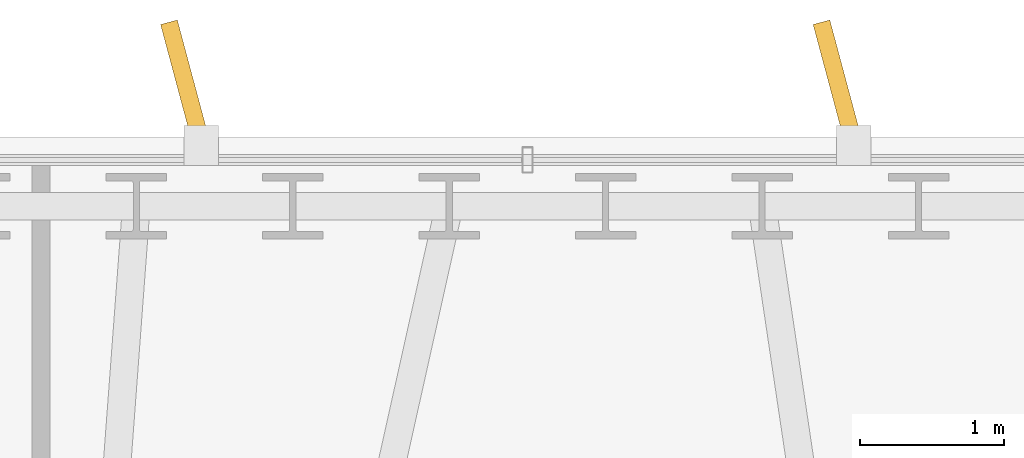
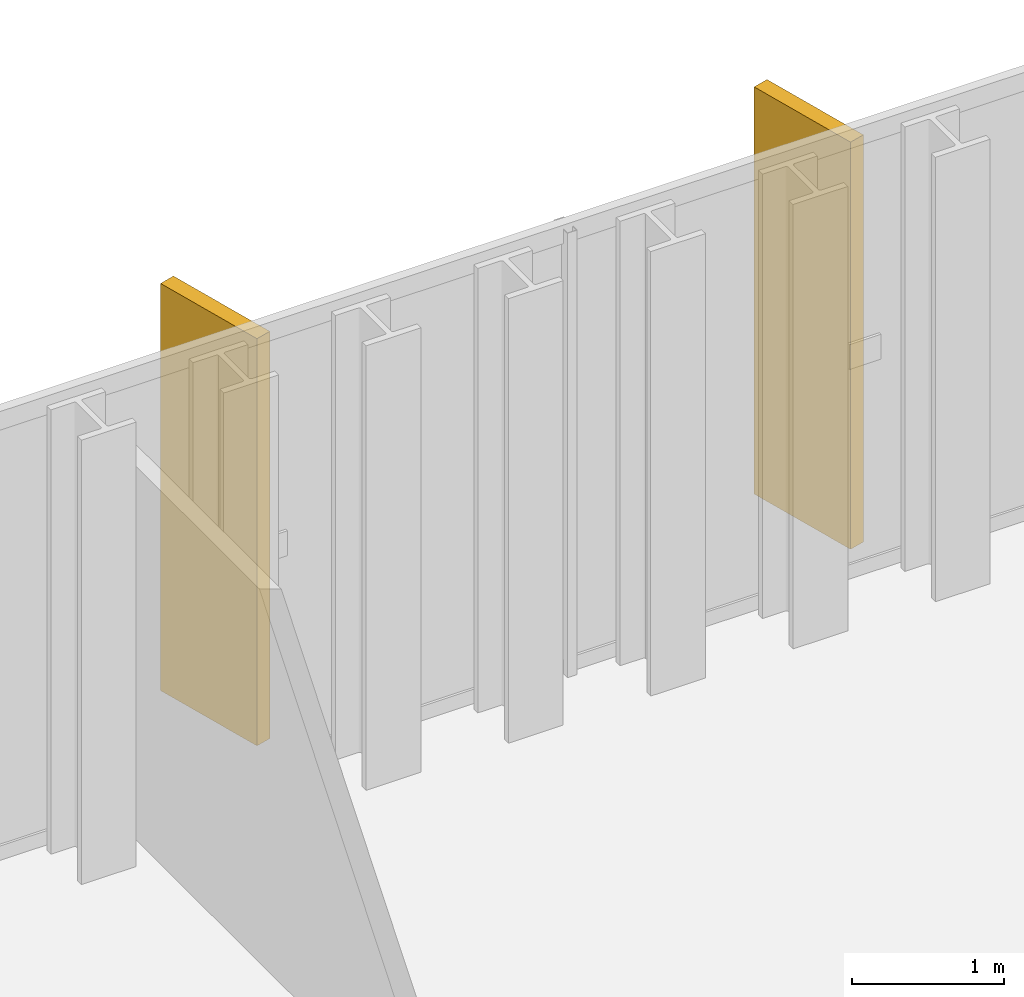
# One storey, part 34 of 34: 2 shading devices.
"""IFC4 building model written with IfcOpenShell, lengths in metres."""

from ifc_helpers import new_model, si_unit, direction, frame, origin, origin_2d, place, context, subcontext, project, spatial, rectangle, extrude, material, type_object, element, save


model = new_model("IFC4")

# Units and contexts
model_context = context("Model", 3, precision=1e-05, world=origin(), true_north=direction((0.0, 1.0)))
body_context = subcontext(model_context, "Body", "Model", "MODEL_VIEW")
ifc_project = project(units=[si_unit("LENGTHUNIT", "METRE"), si_unit("AREAUNIT", "SQUARE_METRE"), si_unit("VOLUMEUNIT", "CUBIC_METRE"), si_unit("PLANEANGLEUNIT", "RADIAN"), si_unit("MASSUNIT", "GRAM", prefix="KILO")], contexts=[model_context])

# Site, building, storey
site_placement = place(None, origin())
site = spatial("IfcSite", under=ifc_project, at=site_placement, CompositionType="ELEMENT")
building_placement = place(site_placement, origin())
building = spatial("IfcBuilding", under=site, at=building_placement, Name="Ndaravel Arena Tower", CompositionType="ELEMENT")
storey_placement = place(building_placement, frame((0.0, 0.0, 195.39990234375)))
storey = spatial("IfcBuildingStorey", under=building, at=storey_placement, Name="L47", CompositionType="ELEMENT", Elevation=195.39990234375)

# Shading devices
ifc_material = material(Name="Masonry", Category="masonry")
shading_device_type = type_object("IfcShadingDeviceType", Name="SHD-MAZERAS-FIN", PredefinedType="SHUTTER", material=ifc_material)
for number, where, z_axis, x_axis, name in (
    (1, (44.154296875, 46.64599609375, 0.14990234375), (0.0, 0.0, 1.0), (-0.258819045103, 0.965925826289, 0.0), "L47 Mazeras Stone Solar Fin E4.1"),
    (2, (39.63134765625, 46.64599609375, 0.14990234375), (0.0, 0.0, 1.0), (-0.258819045103, 0.965925826289, 0.0), "L47 Mazeras Stone Solar Fin E4.2"),
):
    element("IfcShadingDevice", number, at=place(storey_placement, frame(where, z_axis=z_axis, x_axis=x_axis)), inside=storey, type_object=shading_device_type, Name=name, PredefinedType="SHUTTER", context=body_context, shape_type="SweptSolid", body=[
        extrude(rectangle(XDim=0.89990234375, YDim=0.1201171875, at=origin_2d()), origin(), (0.0, 0.0, 1.0), 3.280029296875),
    ])

save(model, "model.ifc")
